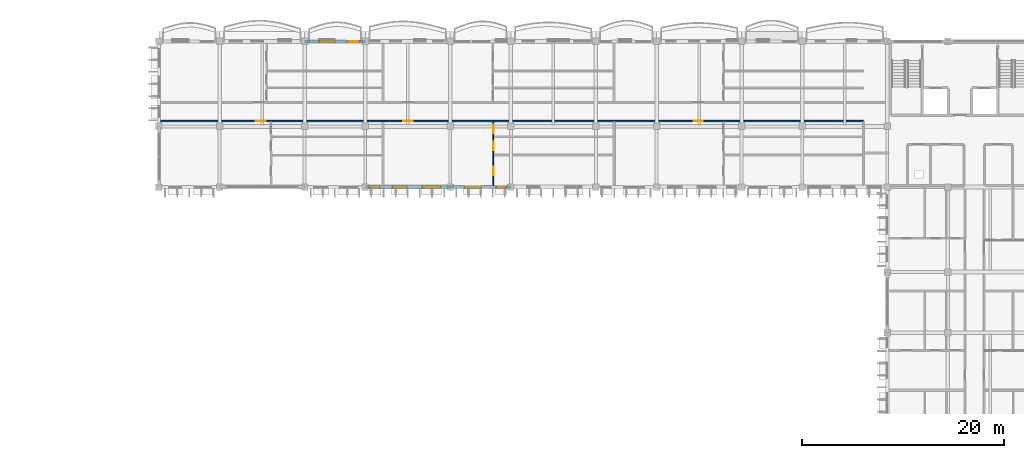
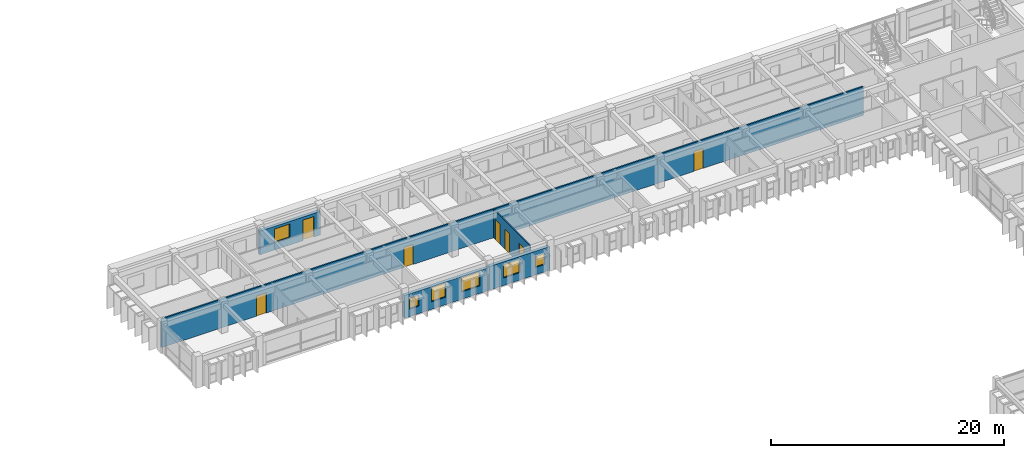
# One storey, part 36 of 76: 7 doors, 6 windows, 5 walls, 13 openings.
"""IFC4 building model written with IfcOpenShell, lengths in metres."""

from ifc_helpers import new_model, si_unit, direction, frame, frame_2d, origin, place, context, subcontext, project, spatial, rectangle, extrude, material, layer, layer_set, type_object, element, fill, save


model = new_model("IFC4")

# Units and contexts
model_context = context("Model", 3, precision=1e-05, world=origin(), true_north=direction((0.0, 1.0)))
body_context = subcontext(model_context, "Body", "Model", "MODEL_VIEW")
ifc_project = project(units=[si_unit("LENGTHUNIT", "METRE"), si_unit("AREAUNIT", "SQUARE_METRE"), si_unit("VOLUMEUNIT", "CUBIC_METRE"), si_unit("PLANEANGLEUNIT", "RADIAN"), si_unit("MASSUNIT", "GRAM", prefix="KILO"), si_unit("THERMODYNAMICTEMPERATUREUNIT", "KELVIN")], contexts=[model_context])

# Site, building, storey
site_placement = place(None, origin())
site = spatial("IfcSite", under=ifc_project, at=site_placement, CompositionType="ELEMENT")
building_placement = place(site_placement, origin())
building = spatial("IfcBuilding", under=site, at=building_placement, Name="Thalorik Housing Commons", CompositionType="ELEMENT")
storey_placement = place(building_placement, frame((0.0, 0.0, 18.0)))
storey = spatial("IfcBuildingStorey", under=building, at=storey_placement, Name="L05", CompositionType="ELEMENT", Elevation=18.0)

# Wall, openings, doors
ifc_material_1 = material(Name="Masonry fire-rated corridor wall", Category="masonry")
ifc_layer_1 = layer(ifc_material_1, 0.14990234375, Name="Masonry fire-rated corridor wall", Category="masonry")
ifc_layer_set_1 = layer_set([ifc_layer_1], Name="Masonry fire-rated corridor wall")
wall_type_1 = type_object("IfcWallType", Name="ARC-WAL-CORR-150", PredefinedType="PARTITIONING", material=ifc_layer_set_1)
wall_1_placement = place(storey_placement, frame((80.56201171875, 115.719970703125, 0.0), z_axis=(0.0, 0.0, 1.0), x_axis=(1.0, 0.0, 0.0)))
wall_1 = element("IfcWall", 1, at=wall_1_placement, inside=storey, type_object=wall_type_1, Name="L05 Block B N Corridor Wall 1", PredefinedType="PARTITIONING", context=body_context, shape_type="SweptSolid", body=[
    extrude(rectangle(XDim=69.488037109375, YDim=0.14990234375, at=frame_2d((34.744140625, 0.0))), origin(), (0.0, 0.0, 1.0), 3.0),
])
opening_1_placement = place(wall_1_placement, frame((9.4287109375, 0.0, 0.0)))
opening_1 = element("IfcOpeningElement", 2, at=opening_1_placement, cuts=wall_1, Name="Opening ID-1190", PredefinedType="OPENING", context=body_context, shape_type="SweptSolid", body=[
    extrude(rectangle(XDim=0.9599609375, YDim=2.1201171875, at=frame_2d((0.47998046875, 1.06005859375))), frame((0.0, 0.0849609375, 0.0), z_axis=(0.0, -1.0, 0.0), x_axis=(1.0, 0.0, 0.0)), (0.0, 0.0, 1.0), 0.169921875),
])
opening_2_placement = place(wall_1_placement, frame((24.003662109375, 0.0, 0.0)))
opening_2 = element("IfcOpeningElement", 3, at=opening_2_placement, cuts=wall_1, Name="Opening ID-1191", PredefinedType="OPENING", context=body_context, shape_type="SweptSolid", body=[
    extrude(rectangle(XDim=0.919921875, YDim=2.10009765625, at=frame_2d((0.4599609375, 1.050048828125))), frame((0.0, 0.0849609375, 0.0), z_axis=(0.0, -1.0, 0.0), x_axis=(1.0, 0.0, 0.0)), (0.0, 0.0, 1.0), 0.169921875),
])
opening_3_placement = place(wall_1_placement, frame((52.697021484375, 0.0, 0.0)))
opening_3 = element("IfcOpeningElement", 4, at=opening_3_placement, cuts=wall_1, Name="Opening ID-1192", PredefinedType="OPENING", context=body_context, shape_type="SweptSolid", body=[
    extrude(rectangle(XDim=0.919921875, YDim=2.10009765625, at=frame_2d((0.4599609375, 1.050048828125))), frame((0.0, 0.0849609375, 0.0), z_axis=(0.0, -1.0, 0.0), x_axis=(1.0, 0.0, 0.0)), (0.0, 0.0, 1.0), 0.169921875),
])
ifc_material_2 = material(Name="Solid core hardwood timber", Category="wood")
door_type_1 = type_object("IfcDoorType", Name="ARC-DR-FD30-920", OperationType="NOTDEFINED", PredefinedType="DOOR", material=ifc_material_2)
door_1_placement = place(opening_2_placement, origin())
door_1 = element("IfcDoor", 5, at=door_1_placement, inside=storey, type_object=door_type_1, Name="L05 Flat BN-2A Entrance Door", OperationType="SINGLE_SWING_RIGHT", OverallHeight=2.10009765625, OverallWidth=0.919921875, PredefinedType="DOOR", context=body_context, shape_type="SweptSolid", body=[
    extrude(rectangle(XDim=0.919921875, YDim=2.10009765625, at=frame_2d((0.4599609375, 1.050048828125))), frame((0.0, 0.02490234375, 0.0), z_axis=(0.0, -1.0, 0.0), x_axis=(1.0, 0.0, 0.0)), (0.0, 0.0, 1.0), 0.050048828125),
])
fill(opening_2, door_1)
door_2_placement = place(opening_3_placement, origin())
door_2 = element("IfcDoor", 6, at=door_2_placement, inside=storey, type_object=door_type_1, Name="L05 Flat BN-3A Entrance Door", OperationType="SINGLE_SWING_LEFT", OverallHeight=2.10009765625, OverallWidth=0.919921875, PredefinedType="DOOR", context=body_context, shape_type="SweptSolid", body=[
    extrude(rectangle(XDim=0.919921875, YDim=2.10009765625, at=frame_2d((0.4599609375, 1.050048828125))), frame((0.0, 0.02490234375, 0.0), z_axis=(0.0, -1.0, 0.0), x_axis=(1.0, 0.0, 0.0)), (0.0, 0.0, 1.0), 0.050048828125),
])
fill(opening_3, door_2)
door_type_2 = type_object("IfcDoorType", Name="ARC-DR-FD30-960", OperationType="NOTDEFINED", PredefinedType="DOOR", material=ifc_material_2)
door_3_placement = place(opening_1_placement, origin())
door_3 = element("IfcDoor", 7, at=door_3_placement, inside=storey, type_object=door_type_2, Name="L05 Flat BN-1A Entrance Door", OperationType="SINGLE_SWING_LEFT", OverallHeight=2.1201171875, OverallWidth=0.9599609375, PredefinedType="DOOR", context=body_context, shape_type="SweptSolid", body=[
    extrude(rectangle(XDim=0.9599609375, YDim=2.1201171875, at=frame_2d((0.47998046875, 1.06005859375))), frame((0.0, 0.02490234375, 0.0), z_axis=(0.0, -1.0, 0.0), x_axis=(1.0, 0.0, 0.0)), (0.0, 0.0, 1.0), 0.050048828125),
])
fill(opening_1, door_3)

# Wall, openings, door, window
ifc_material_3 = material(Name="White precast concrete C40/50", Category="concrete")
ifc_layer_2 = layer(ifc_material_3, 0.320068359375, Name="White precast concrete C40/50", Category="concrete")
ifc_layer_set_2 = layer_set([ifc_layer_2], Name="White precast concrete C40/50")
wall_type_2 = type_object("IfcWallType", Name="ARC-WAL-EXT-320", PredefinedType="STANDARD", material=ifc_layer_set_2)
wall_2_placement = place(storey_placement, frame((100.800048828125, 123.60009765625, 0.0), z_axis=(0.0, 0.0, 1.0), x_axis=(-1.0, 0.0, 0.0)))
wall_2 = element("IfcWall", 8, at=wall_2_placement, inside=storey, type_object=wall_type_2, Name="L05 Exterior Wall WAL-EXT-L05-B-0571", PredefinedType="STANDARD", context=body_context, shape_type="SweptSolid", body=[
    extrude(rectangle(XDim=6.0, YDim=0.320068359375, at=frame_2d((3.0, 0.0))), origin(), (0.0, 0.0, 1.0), 2.47509765625),
])
opening_4_placement = place(wall_2_placement, frame((0.6201171875, 0.0, 0.0)))
opening_4 = element("IfcOpeningElement", 9, at=opening_4_placement, cuts=wall_2, Name="Opening ED-0184", PredefinedType="OPENING", context=body_context, shape_type="SweptSolid", body=[
    extrude(rectangle(XDim=1.10009765625, YDim=2.14990234375, at=frame_2d((0.550048828125, 1.074951171875))), frame((0.0, 0.169921875, 0.0), z_axis=(0.0, -1.0, 0.0), x_axis=(1.0, 0.0, 0.0)), (0.0, 0.0, 1.0), 0.340087890625),
])
opening_5_placement = place(wall_2_placement, frame((3.030029296875, 0.0, 0.780029296875)))
opening_5 = element("IfcOpeningElement", 10, at=opening_5_placement, cuts=wall_2, Name="Opening W-52", PredefinedType="OPENING", context=body_context, shape_type="SweptSolid", body=[
    extrude(rectangle(XDim=1.52001953125, YDim=1.419921875, at=frame_2d((0.760009765625, 0.7099609375))), frame((0.0, 0.169921875, 0.0), z_axis=(0.0, -1.0, 0.0), x_axis=(1.0, 0.0, 0.0)), (0.0, 0.0, 1.0), 0.340087890625),
])
ifc_material_4 = material(Name="Anodised aluminium and laminated safety glass", Category="aluminium")
door_type_3 = type_object("IfcDoorType", Name="ARC-DR-BAL-1100", OperationType="NOTDEFINED", PredefinedType="DOOR", material=ifc_material_4)
door_4_placement = place(opening_4_placement, frame((1.10009765625, 0.0, 0.0), z_axis=(0.0, 0.0, 1.0), x_axis=(-1.0, 0.0, 0.0)))
door_4 = element("IfcDoor", 11, at=door_4_placement, inside=storey, type_object=door_type_3, Name="L05 Block B Balcony Glazed Door", OperationType="SINGLE_SWING_LEFT", OverallHeight=2.14990234375, OverallWidth=1.10009765625, PredefinedType="DOOR", context=body_context, shape_type="SweptSolid", body=[
    extrude(rectangle(XDim=1.10009765625, YDim=2.14990234375, at=frame_2d((0.550048828125, 1.074951171875))), frame((0.0, 0.02490234375, 0.0), z_axis=(0.0, -1.0, 0.0), x_axis=(1.0, 0.0, 0.0)), (0.0, 0.0, 1.0), 0.050048828125),
])
fill(opening_4, door_4)
ifc_material_5 = material(Name="Anodised aluminium and solar-control low-E glass", Category="aluminium")
window_type_1 = type_object("IfcWindowType", Name="ARC-WIN-52", PartitioningType="SINGLE_PANEL", PredefinedType="WINDOW", material=ifc_material_5)
window_1_placement = place(opening_5_placement, origin())
window_1 = element("IfcWindow", 12, at=window_1_placement, inside=storey, type_object=window_type_1, Name="L05 Facade Window 1036", OverallHeight=1.419921875, OverallWidth=1.52001953125, PartitioningType="SINGLE_PANEL", PredefinedType="WINDOW", context=body_context, shape_type="SweptSolid", body=[
    extrude(rectangle(XDim=1.52001953125, YDim=1.419921875, at=frame_2d((0.760009765625, 0.7099609375))), frame((0.0, 0.030029296875, 0.0), z_axis=(0.0, -1.0, 0.0), x_axis=(1.0, 0.0, 0.0)), (0.0, 0.0, 1.0), 0.06005859375),
])
fill(opening_5, window_1)

# Wall, openings, windows
wall_3_placement = place(storey_placement, frame((100.800048828125, 109.199951171875, 0.0), z_axis=(0.0, 0.0, 1.0), x_axis=(1.0, 0.0, 0.0)))
wall_3 = element("IfcWall", 13, at=wall_3_placement, inside=storey, type_object=wall_type_2, Name="L05 Exterior Wall WAL-EXT-L05-B-0579", PredefinedType="STANDARD", context=body_context, shape_type="SweptSolid", body=[
    extrude(rectangle(XDim=8.39990234375, YDim=0.320068359375, at=frame_2d((4.199951171875, 0.0))), origin(), (0.0, 0.0, 1.0), 2.375),
])
opening_6_placement = place(wall_3_placement, frame((0.489990234375, 0.0, 0.780029296875)))
opening_6 = element("IfcOpeningElement", 14, at=opening_6_placement, cuts=wall_3, Name="Opening W-43", PredefinedType="OPENING", context=body_context, shape_type="SweptSolid", body=[
    extrude(rectangle(XDim=0.949951171875, YDim=1.14990234375, at=frame_2d((0.47509765625, 0.574951171875))), frame((0.0, 0.169921875, 0.0), z_axis=(0.0, -1.0, 0.0), x_axis=(1.0, 0.0, 0.0)), (0.0, 0.0, 1.0), 0.340087890625),
])
opening_7_placement = place(wall_3_placement, frame((2.702392578125, 0.0, 0.780029296875)))
opening_7 = element("IfcOpeningElement", 15, at=opening_7_placement, cuts=wall_3, Name="Opening W-49", PredefinedType="OPENING", context=body_context, shape_type="SweptSolid", body=[
    extrude(rectangle(XDim=1.3798828125, YDim=1.47998046875, at=frame_2d((0.68994140625, 0.739990234375))), frame((0.0, 0.169921875, 0.0), z_axis=(0.0, -1.0, 0.0), x_axis=(1.0, 0.0, 0.0)), (0.0, 0.0, 1.0), 0.340087890625),
])
opening_8_placement = place(wall_3_placement, frame((5.6474609375, 0.0, 0.780029296875)))
opening_8 = element("IfcOpeningElement", 16, at=opening_8_placement, cuts=wall_3, Name="Opening W-58", PredefinedType="OPENING", context=body_context, shape_type="SweptSolid", body=[
    extrude(rectangle(XDim=1.820068359375, YDim=1.4599609375, at=frame_2d((0.91015625, 0.72998046875))), frame((0.0, 0.169921875, 0.0), z_axis=(0.0, -1.0, 0.0), x_axis=(1.0, 0.0, 0.0)), (0.0, 0.0, 1.0), 0.340087890625),
])
window_type_2 = type_object("IfcWindowType", Name="ARC-WIN-43", PartitioningType="SINGLE_PANEL", PredefinedType="WINDOW", material=ifc_material_5)
window_2_placement = place(opening_6_placement, origin())
window_2 = element("IfcWindow", 17, at=window_2_placement, inside=storey, type_object=window_type_2, Name="L05 Facade Window 1047", OverallHeight=1.14990234375, OverallWidth=0.949951171875, PartitioningType="SINGLE_PANEL", PredefinedType="WINDOW", context=body_context, shape_type="SweptSolid", body=[
    extrude(rectangle(XDim=0.949951171875, YDim=1.14990234375, at=frame_2d((0.47509765625, 0.574951171875))), frame((0.0, 0.030029296875, 0.0), z_axis=(0.0, -1.0, 0.0), x_axis=(1.0, 0.0, 0.0)), (0.0, 0.0, 1.0), 0.06005859375),
])
fill(opening_6, window_2)
window_type_3 = type_object("IfcWindowType", Name="ARC-WIN-49", PartitioningType="SINGLE_PANEL", PredefinedType="WINDOW", material=ifc_material_5)
window_3_placement = place(opening_7_placement, origin())
window_3 = element("IfcWindow", 18, at=window_3_placement, inside=storey, type_object=window_type_3, Name="L05 Facade Window 1048", OverallHeight=1.47998046875, OverallWidth=1.3798828125, PartitioningType="SINGLE_PANEL", PredefinedType="WINDOW", context=body_context, shape_type="SweptSolid", body=[
    extrude(rectangle(XDim=1.3798828125, YDim=1.47998046875, at=frame_2d((0.68994140625, 0.739990234375))), frame((0.0, 0.030029296875, 0.0), z_axis=(0.0, -1.0, 0.0), x_axis=(1.0, 0.0, 0.0)), (0.0, 0.0, 1.0), 0.06005859375),
])
fill(opening_7, window_3)
window_type_4 = type_object("IfcWindowType", Name="ARC-WIN-58", PartitioningType="DOUBLE_PANEL_VERTICAL", PredefinedType="WINDOW", material=ifc_material_5)
window_4_placement = place(opening_8_placement, origin())
window_4 = element("IfcWindow", 19, at=window_4_placement, inside=storey, type_object=window_type_4, Name="L05 Facade Window 1049", OverallHeight=1.4599609375, OverallWidth=1.820068359375, PartitioningType="DOUBLE_PANEL_VERTICAL", PredefinedType="WINDOW", context=body_context, shape_type="SweptSolid", body=[
    extrude(rectangle(XDim=1.820068359375, YDim=1.4599609375, at=frame_2d((0.91015625, 0.72998046875))), frame((0.0, 0.030029296875, 0.0), z_axis=(0.0, -1.0, 0.0), x_axis=(1.0, 0.0, 0.0)), (0.0, 0.0, 1.0), 0.06005859375),
])
fill(opening_8, window_4)

wall_4_placement = place(storey_placement, frame((109.199951171875, 109.199951171875, 0.0), z_axis=(0.0, 0.0, 1.0), x_axis=(1.0, 0.0, 0.0)))
wall_4 = element("IfcWall", 20, at=wall_4_placement, inside=storey, type_object=wall_type_2, Name="L05 Exterior Wall WAL-EXT-L05-B-0580", PredefinedType="STANDARD", context=body_context, shape_type="SweptSolid", body=[
    extrude(rectangle(XDim=6.0, YDim=0.320068359375, at=frame_2d((3.0, 0.0))), origin(), (0.0, 0.0, 1.0), 2.47509765625),
])
opening_9_placement = place(wall_4_placement, frame((1.419921875, 0.0, 0.780029296875)))
opening_9 = element("IfcOpeningElement", 21, at=opening_9_placement, cuts=wall_4, Name="Opening W-54", PredefinedType="OPENING", context=body_context, shape_type="SweptSolid", body=[
    extrude(rectangle(XDim=1.6201171875, YDim=1.3798828125, at=frame_2d((0.81005859375, 0.68994140625))), frame((0.0, 0.169921875, 0.0), z_axis=(0.0, -1.0, 0.0), x_axis=(1.0, 0.0, 0.0)), (0.0, 0.0, 1.0), 0.340087890625),
])
opening_10_placement = place(wall_4_placement, frame((4.56494140625, 0.0, 0.780029296875)))
opening_10 = element("IfcOpeningElement", 22, at=opening_10_placement, cuts=wall_4, Name="Opening W-43", PredefinedType="OPENING", context=body_context, shape_type="SweptSolid", body=[
    extrude(rectangle(XDim=0.949951171875, YDim=1.14990234375, at=frame_2d((0.47509765625, 0.574951171875))), frame((0.0, 0.169921875, 0.0), z_axis=(0.0, -1.0, 0.0), x_axis=(1.0, 0.0, 0.0)), (0.0, 0.0, 1.0), 0.340087890625),
])
window_5_placement = place(opening_10_placement, origin())
window_5 = element("IfcWindow", 23, at=window_5_placement, inside=storey, type_object=window_type_2, Name="L05 Facade Window 1051", OverallHeight=1.14990234375, OverallWidth=0.949951171875, PartitioningType="SINGLE_PANEL", PredefinedType="WINDOW", context=body_context, shape_type="SweptSolid", body=[
    extrude(rectangle(XDim=0.949951171875, YDim=1.14990234375, at=frame_2d((0.47509765625, 0.574951171875))), frame((0.0, 0.030029296875, 0.0), z_axis=(0.0, -1.0, 0.0), x_axis=(1.0, 0.0, 0.0)), (0.0, 0.0, 1.0), 0.06005859375),
])
fill(opening_10, window_5)
window_type_5 = type_object("IfcWindowType", Name="ARC-WIN-54", PartitioningType="DOUBLE_PANEL_VERTICAL", PredefinedType="WINDOW", material=ifc_material_5)
window_6_placement = place(opening_9_placement, origin())
window_6 = element("IfcWindow", 24, at=window_6_placement, inside=storey, type_object=window_type_5, Name="L05 Facade Window 1050", OverallHeight=1.3798828125, OverallWidth=1.6201171875, PartitioningType="DOUBLE_PANEL_VERTICAL", PredefinedType="WINDOW", context=body_context, shape_type="SweptSolid", body=[
    extrude(rectangle(XDim=1.6201171875, YDim=1.3798828125, at=frame_2d((0.81005859375, 0.68994140625))), frame((0.0, 0.030029296875, 0.0), z_axis=(0.0, -1.0, 0.0), x_axis=(1.0, 0.0, 0.0)), (0.0, 0.0, 1.0), 0.06005859375),
])
fill(opening_9, window_6)

# Wall, openings, doors
ifc_material_6 = material(Name="Gypsum light stud partition", Category="masonry")
ifc_layer_3 = layer(ifc_material_6, 0.10009765625, Name="Gypsum light stud partition", Category="masonry")
ifc_layer_set_3 = layer_set([ifc_layer_3], Name="Gypsum light stud partition")
wall_type_3 = type_object("IfcWallType", Name="ARC-WAL-PART-100", PredefinedType="PARTITIONING", material=ifc_layer_set_3)
wall_5_placement = place(storey_placement, frame((113.469970703125, 109.362060546875, 0.0), z_axis=(0.0, 0.0, 1.0), x_axis=(0.0, 1.0, 0.0)))
wall_5 = element("IfcWall", 25, at=wall_5_placement, inside=storey, type_object=wall_type_3, Name="L05 Unit 2 Spine Partition", PredefinedType="PARTITIONING", context=body_context, shape_type="SweptSolid", body=[
    extrude(rectangle(XDim=6.281005859375, YDim=0.10009765625, at=frame_2d((3.140625, 0.0))), origin(), (0.0, 0.0, 1.0), 3.0),
])
opening_11_placement = place(wall_5_placement, frame((1.0234375, 0.0, 0.0)))
opening_11 = element("IfcOpeningElement", 26, at=opening_11_placement, cuts=wall_5, Name="Opening ID-1178", PredefinedType="OPENING", context=body_context, shape_type="SweptSolid", body=[
    extrude(rectangle(XDim=0.85009765625, YDim=2.10009765625, at=frame_2d((0.425048828125, 1.050048828125))), frame((0.0, 0.06005859375, 0.0), z_axis=(0.0, -1.0, 0.0), x_axis=(1.0, 0.0, 0.0)), (0.0, 0.0, 1.0), 0.1201171875),
])
opening_12_placement = place(wall_5_placement, frame((3.478271484375, 0.0, 0.0)))
opening_12 = element("IfcOpeningElement", 27, at=opening_12_placement, cuts=wall_5, Name="Opening ID-1179", PredefinedType="OPENING", context=body_context, shape_type="SweptSolid", body=[
    extrude(rectangle(XDim=0.85009765625, YDim=2.10009765625, at=frame_2d((0.425048828125, 1.050048828125))), frame((0.0, 0.06005859375, 0.0), z_axis=(0.0, -1.0, 0.0), x_axis=(1.0, 0.0, 0.0)), (0.0, 0.0, 1.0), 0.1201171875),
])
opening_13_placement = place(wall_5_placement, frame((5.182861328125, 0.0, 0.0)))
opening_13 = element("IfcOpeningElement", 28, at=opening_13_placement, cuts=wall_5, Name="Opening ID-1180", PredefinedType="OPENING", context=body_context, shape_type="SweptSolid", body=[
    extrude(rectangle(XDim=0.800048828125, YDim=2.10009765625, at=frame_2d((0.39990234375, 1.050048828125))), frame((0.0, 0.06005859375, 0.0), z_axis=(0.0, -1.0, 0.0), x_axis=(1.0, 0.0, 0.0)), (0.0, 0.0, 1.0), 0.1201171875),
])
ifc_material_7 = material(Name="Moisture-resistant timber", Category="wood")
door_type_4 = type_object("IfcDoorType", Name="ARC-DR-INT-800", OperationType="NOTDEFINED", PredefinedType="DOOR", material=ifc_material_7)
door_5_placement = place(opening_13_placement, origin())
door_5 = element("IfcDoor", 29, at=door_5_placement, inside=storey, type_object=door_type_4, Name="L05 Accessible Bathroom Door", OperationType="SINGLE_SWING_LEFT", OverallHeight=2.10009765625, OverallWidth=0.800048828125, PredefinedType="DOOR", context=body_context, shape_type="SweptSolid", body=[
    extrude(rectangle(XDim=0.800048828125, YDim=2.10009765625, at=frame_2d((0.39990234375, 1.050048828125))), frame((0.0, 0.02490234375, 0.0), z_axis=(0.0, -1.0, 0.0), x_axis=(1.0, 0.0, 0.0)), (0.0, 0.0, 1.0), 0.050048828125),
])
fill(opening_13, door_5)
ifc_material_8 = material(Name="Engineered oak timber", Category="wood")
door_type_5 = type_object("IfcDoorType", Name="ARC-DR-INT-850", OperationType="NOTDEFINED", PredefinedType="DOOR", material=ifc_material_8)
door_6_placement = place(opening_11_placement, origin())
door_6 = element("IfcDoor", 30, at=door_6_placement, inside=storey, type_object=door_type_5, Name="L05 Double Bedroom Door", OperationType="SINGLE_SWING_LEFT", OverallHeight=2.10009765625, OverallWidth=0.85009765625, PredefinedType="DOOR", context=body_context, shape_type="SweptSolid", body=[
    extrude(rectangle(XDim=0.85009765625, YDim=2.10009765625, at=frame_2d((0.425048828125, 1.050048828125))), frame((0.0, 0.02490234375, 0.0), z_axis=(0.0, -1.0, 0.0), x_axis=(1.0, 0.0, 0.0)), (0.0, 0.0, 1.0), 0.050048828125),
])
fill(opening_11, door_6)
door_7_placement = place(opening_12_placement, origin())
door_7 = element("IfcDoor", 31, at=door_7_placement, inside=storey, type_object=door_type_5, Name="L05 Eat-In Kitchen Door", OperationType="SINGLE_SWING_RIGHT", OverallHeight=2.10009765625, OverallWidth=0.85009765625, PredefinedType="DOOR", context=body_context, shape_type="SweptSolid", body=[
    extrude(rectangle(XDim=0.85009765625, YDim=2.10009765625, at=frame_2d((0.425048828125, 1.050048828125))), frame((0.0, 0.02490234375, 0.0), z_axis=(0.0, -1.0, 0.0), x_axis=(1.0, 0.0, 0.0)), (0.0, 0.0, 1.0), 0.050048828125),
])
fill(opening_12, door_7)

save(model, "model.ifc")
